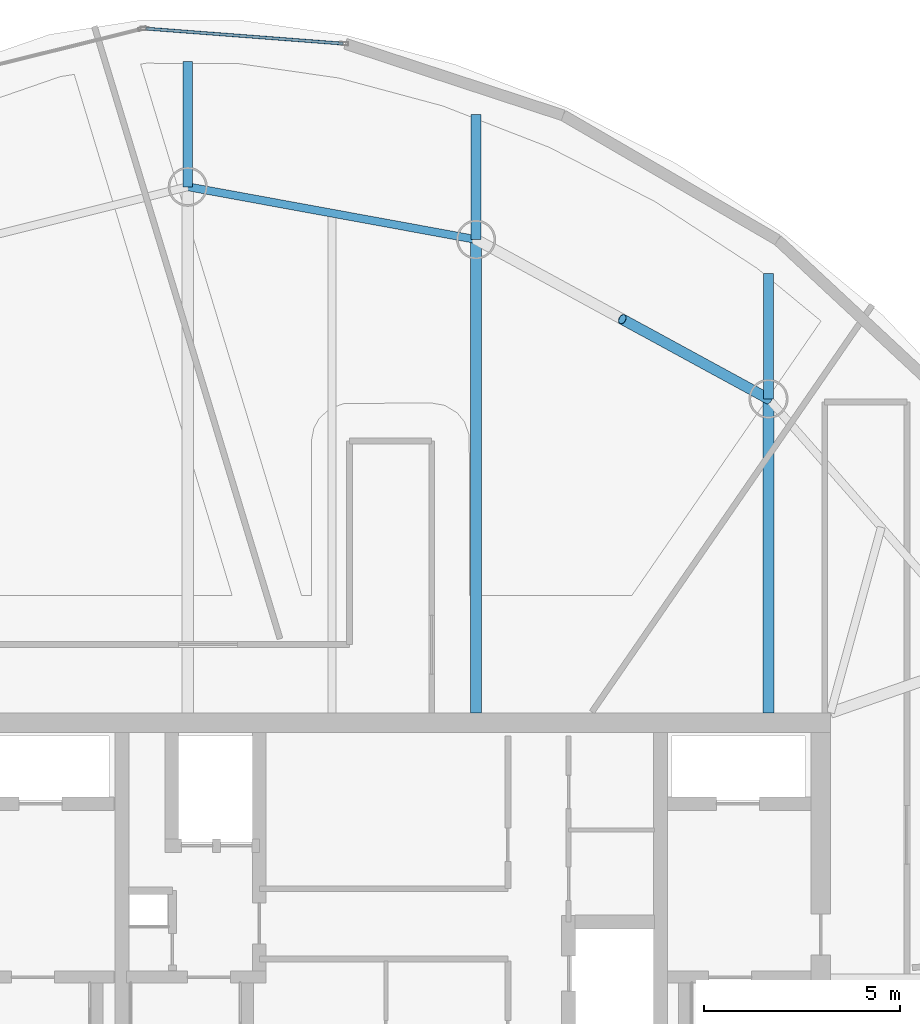
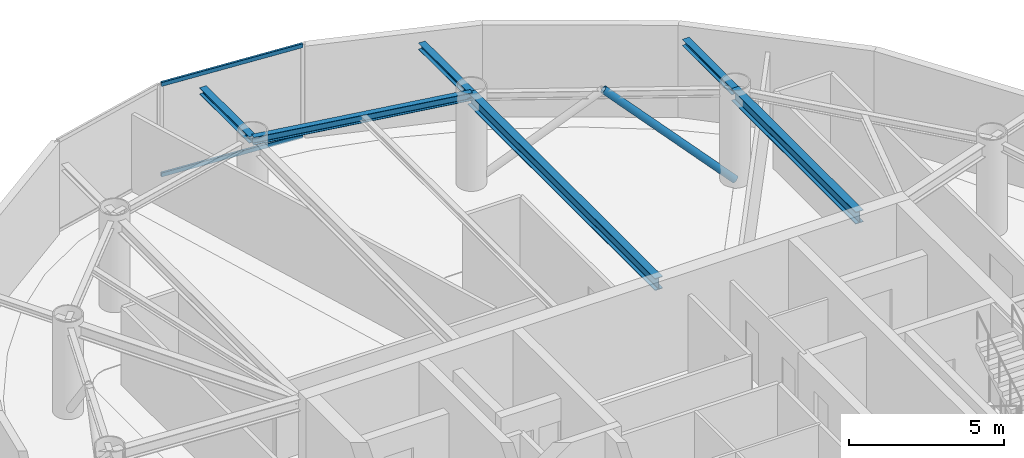
# One storey, part 13 of 23: 6 beams, 3 members, 1 element without a shape of its own.
"""IFC4 building model written with IfcOpenShell, lengths in metres."""

import ifcopenshell
import ifcopenshell.guid

model = None  # the IFC model being written
_history = None  # IfcOwnerHistory: only IFC2X3 demands one
_inside = {}  # id of a spatial element -> (the spatial element, [elements in it])
_under = {}  # id of a project, library or spatial element -> (it, [spatial elements below it])
_declared = {}  # id of a project -> (the project, [libraries it declares])
_typed = {}  # id of a type object -> (the type object, [elements of that type])
_made_of = {}  # id of a material, layer set ... -> (it, [elements and type objects made of it])


def new_model(schema):
    """Start an empty IFC model of exactly this schema.

    Asked for "IFC4X3", IfcOpenShell would pick the latest addendum, in which some entities
    have other attributes; the version numbers below select the first issue.
    IFC2X3 requires an IfcOwnerHistory on every rooted entity: one is made here for all.
    """
    global model, _history
    if schema == "IFC4X3":
        model = ifcopenshell.file(schema_version=(4, 3, 0, 0))
    else:
        model = ifcopenshell.file(schema=schema)
    _inside.clear()
    _under.clear()
    _declared.clear()
    _typed.clear()
    _made_of.clear()
    _history = None
    if model.schema == "IFC2X3":
        org = make("IfcOrganization", Name="unknown")
        user = make(
            "IfcPersonAndOrganization",
            ThePerson=make("IfcPerson", FamilyName="unknown"),
            TheOrganization=org,
        )
        app = make(
            "IfcApplication",
            ApplicationDeveloper=org,
            Version="unknown",
            ApplicationFullName="unknown",
            ApplicationIdentifier="unknown",
        )
        _history = make(
            "IfcOwnerHistory",
            OwningUser=user,
            OwningApplication=app,
            ChangeAction="ADDED",
            CreationDate=0,
        )
    return model


def make(cls, **values):
    """One entity of the class cls with the attributes given. An attribute that is None is left unset."""
    return model.create_entity(
        cls, **{name: value for name, value in values.items() if value is not None}
    )


def rooted(cls, **values):
    """An entity with a GlobalId (a new one), such as an element, a storey or a relation."""
    return make(cls, GlobalId=ifcopenshell.guid.new(), OwnerHistory=_history, **values)


def si_unit(unit_type, name, prefix=None):
    """IfcSIUnit, for example si_unit("LENGTHUNIT", "METRE", prefix="MILLI")."""
    return make("IfcSIUnit", UnitType=unit_type, Prefix=prefix, Name=name)


def assignment(units):
    """IfcUnitAssignment: the units of a project."""
    return None if units is None else make("IfcUnitAssignment", Units=units)


def point(xyz):
    """IfcCartesianPoint."""
    return None if xyz is None else make("IfcCartesianPoint", Coordinates=xyz)


def direction(xyz):
    """IfcDirection."""
    return None if xyz is None else make("IfcDirection", DirectionRatios=xyz)


def frame(location, z_axis=None, x_axis=None):
    """IfcAxis2Placement3D, a coordinate frame: its origin and axes. An axis left out is left unset."""
    return make(
        "IfcAxis2Placement3D",
        Location=point(location),
        Axis=direction(z_axis),
        RefDirection=direction(x_axis),
    )


def frame_2d(location, x_axis=None):
    """IfcAxis2Placement2D, a coordinate frame in the plane: its origin and x axis."""
    return make(
        "IfcAxis2Placement2D", Location=point(location), RefDirection=direction(x_axis)
    )


def origin():
    """The frame at (0, 0, 0) with its axes left unset."""
    return frame((0.0, 0.0, 0.0))


def origin_2d():
    """The frame at (0, 0) in the plane with its x axis left unset."""
    return frame_2d((0.0, 0.0))


def place(relative_to, where):
    """IfcLocalPlacement: puts the frame where relative to a parent placement (None: the world)."""
    return make(
        "IfcLocalPlacement", PlacementRelTo=relative_to, RelativePlacement=where
    )


def context(
    kind, dimensions, precision=None, world=None, true_north=None, identifier=None
):
    """IfcGeometricRepresentationContext, for example the 3D "Model" context."""
    return make(
        "IfcGeometricRepresentationContext",
        ContextIdentifier=identifier,
        ContextType=kind,
        CoordinateSpaceDimension=dimensions,
        Precision=precision,
        WorldCoordinateSystem=world,
        TrueNorth=true_north,
    )


def subcontext(parent, identifier, kind, view, scale=None):
    """IfcGeometricRepresentationSubContext, for example "Body" below "Model"."""
    return make(
        "IfcGeometricRepresentationSubContext",
        ContextIdentifier=identifier,
        ContextType=kind,
        ParentContext=parent,
        TargetScale=scale,
        TargetView=view,
    )


def project(units=None, contexts=None):
    """IfcProject with its units and contexts."""
    return rooted(
        "IfcProject",
        Name="project",
        RepresentationContexts=contexts,
        UnitsInContext=assignment(units),
    )


def spatial(cls, under=None, at=None, **own):
    """A site, building, storey or space (cls), placed at a placement, below another one or the project."""
    s = rooted(cls, ObjectPlacement=at, **own)
    if under is not None:
        _under.setdefault(under.id(), (under, []))[1].append(s)
    return s


def profile(cls, at=None, kind="AREA", **sizes):
    """A parametric profile (cls). Its sizes go by their IFC names, for example OverallWidth=200.0."""
    return make(cls, ProfileType=kind, Position=at, **sizes)


def hollow_rectangle(**sizes):
    """IfcRectangleHollowProfileDef."""
    return profile("IfcRectangleHollowProfileDef", **sizes)


def hollow_circle(**sizes):
    """IfcCircleHollowProfileDef."""
    return profile("IfcCircleHollowProfileDef", **sizes)


def i_section(**sizes):
    """IfcIShapeProfileDef."""
    return profile("IfcIShapeProfileDef", **sizes)


def extrude(swept, where, along, depth):
    """IfcExtrudedAreaSolid: the profile swept, set in the frame where, extruded along a direction by depth."""
    return make(
        "IfcExtrudedAreaSolid",
        SweptArea=swept,
        Position=where,
        ExtrudedDirection=direction(along),
        Depth=depth,
    )


def shape(context_of_items, identifier, shape_type, items):
    """IfcShapeRepresentation: the items that make up one representation, for example the "Body"."""
    return make(
        "IfcShapeRepresentation",
        ContextOfItems=context_of_items,
        RepresentationIdentifier=identifier,
        RepresentationType=shape_type,
        Items=items,
    )


def material(Name=None, Category=None):
    """IfcMaterial."""
    return make("IfcMaterial", Name=Name, Category=Category)


def layer(
    of_material, thickness, ventilated=None, Name=None, Category=None, Priority=None
):
    """IfcMaterialLayer: one layer of a wall or slab, of a material (None: an air gap)."""
    return make(
        "IfcMaterialLayer",
        Material=of_material,
        LayerThickness=thickness,
        IsVentilated=ventilated,
        Name=Name,
        Category=Category,
        Priority=Priority,
    )


def layer_set(layers, Name=None):
    """IfcMaterialLayerSet."""
    return make("IfcMaterialLayerSet", MaterialLayers=layers, LayerSetName=Name)


def material_profile(
    of_material, cross_section, Name=None, Category=None, Priority=None
):
    """IfcMaterialProfile: a cross section and its material."""
    return make(
        "IfcMaterialProfile",
        Name=Name,
        Material=of_material,
        Profile=cross_section,
        Priority=Priority,
        Category=Category,
    )


def profile_set(profiles, Name=None, composite=None):
    """IfcMaterialProfileSet."""
    return make(
        "IfcMaterialProfileSet",
        Name=Name,
        MaterialProfiles=profiles,
        CompositeProfile=composite,
    )


def made_of(thing, what):
    """Note that an element or type object is made of a material, layer set ...; save() writes the relation."""
    if what is not None:
        _made_of.setdefault(what.id(), (what, []))[1].append(thing)
    return thing


def type_object(cls, material=None, **own):
    """A type object (cls), such as IfcWallType, which elements share."""
    return made_of(rooted(cls, **own), material)


def element(
    cls,
    number,
    at=None,
    inside=None,
    cuts=None,
    type_object=None,
    material=None,
    context=None,
    identifier="Body",
    shape_type=None,
    held_by="IfcProductDefinitionShape",
    body=None,
    shapes=None,
    **own,
):
    """One element of the class cls, such as IfcWall. Its Tag is "e" and its number.

    at: its placement. inside: the storey or other place that contains it. cuts: it is an
    opening in that element (IfcRelVoidsElement). A single representation is given by context,
    identifier, shape_type and body (its items); several are given by shapes. held_by: the class
    of the entity that holds the representations. save() writes the other relations.
    """
    e = rooted(cls, Tag="e%d" % number, ObjectPlacement=at, **own)
    if body is not None:
        shapes = [shape(context, identifier, shape_type, body)]
    if shapes is not None:
        e.Representation = make(held_by, Representations=shapes)
    if inside is not None:
        _inside.setdefault(inside.id(), (inside, []))[1].append(e)
    if cuts is not None:
        rooted(
            "IfcRelVoidsElement", RelatingBuildingElement=cuts, RelatedOpeningElement=e
        )
    if type_object is not None:
        _typed.setdefault(type_object.id(), (type_object, []))[1].append(e)
    return made_of(e, material)


def aggregate(whole, parts):
    """IfcRelAggregates: a whole, such as a stair, and the parts it consists of."""
    return rooted("IfcRelAggregates", RelatingObject=whole, RelatedObjects=parts)


def save(model, path):
    """Write the relations noted so far, then the file.

    IfcRelAggregates (storeys below a building ...), IfcRelContainedInSpatialStructure (elements
    in a storey), IfcRelDefinesByType, IfcRelAssociatesMaterial and IfcRelDeclares: one each for
    every whole, place, type object, material and project.
    """
    for whole, parts in _under.values():
        aggregate(whole, parts)
    for where, things in _inside.values():
        rooted(
            "IfcRelContainedInSpatialStructure",
            RelatedElements=things,
            RelatingStructure=where,
        )
    for kind, things in _typed.values():
        rooted("IfcRelDefinesByType", RelatedObjects=things, RelatingType=kind)
    for what, things in _made_of.values():
        rooted("IfcRelAssociatesMaterial", RelatedObjects=things, RelatingMaterial=what)
    for by, libraries in _declared.values():
        rooted("IfcRelDeclares", RelatingContext=by, RelatedDefinitions=libraries)
    model.write(path)


model = new_model("IFC4")

# Units and contexts
model_context = context("Model", 3, precision=1e-05, world=origin(), true_north=direction((0.0, 1.0)))
body_context = subcontext(model_context, "Body", "Model", "MODEL_VIEW")
ifc_project = project(units=[si_unit("LENGTHUNIT", "METRE"), si_unit("AREAUNIT", "SQUARE_METRE"), si_unit("VOLUMEUNIT", "CUBIC_METRE"), si_unit("PLANEANGLEUNIT", "RADIAN"), si_unit("MASSUNIT", "GRAM", prefix="KILO")], contexts=[model_context])

# Site, building, storey
site_placement = place(None, origin())
site = spatial("IfcSite", under=ifc_project, at=site_placement, CompositionType="ELEMENT")
building_placement = place(site_placement, origin())
building = spatial("IfcBuilding", under=site, at=building_placement, Name="Bramvorn Convention Spire", CompositionType="ELEMENT")
storey_placement = place(building_placement, frame((0.0, 0.0, 295.949951171875)))
storey = spatial("IfcBuildingStorey", under=building, at=storey_placement, Name="L75", CompositionType="ELEMENT", Elevation=295.949951171875)

# Beams
ifc_material_1 = material(Name="Steel CSA G40.21 Grade 350 (350W)", Category="steel")
ifc_material_profile_1 = material_profile(ifc_material_1, i_section(OverallWidth=0.25390625, OverallDepth=0.2529296875, WebThickness=0.008544921875, FlangeThickness=0.01416015625, FilletRadius=0.011962890625, at=origin_2d()))
ifc_profile_set_1 = profile_set([ifc_material_profile_1], Name="Steel CSA G40.21 Grade 350 (350W) - W250X73")
beam_type_1 = type_object("IfcBeamType", Name="BM-W250X73", PredefinedType="BEAM", material=ifc_profile_set_1)
for number, where, z_axis, x_axis, name in (
    (1, (47.662353515625, 41.476806640625, 3.49853515625), (0.0, 1.0, 0.0), (-1.0, 0.0, 0.0), "L75 slab-edge cantilever tip beam MC06"),
    (2, (40.1845703125, 45.55078125, 3.49853515625), (0.0, 1.0, 0.0), (-1.0, 0.0, 0.0), "L75 slab-edge cantilever tip beam MC07"),
    (3, (32.8115234375, 46.90087890625, 3.49853515625), (0.0, 1.0, 0.0), (-1.0, 0.0, 0.0), "L75 slab-edge cantilever tip beam MC08"),
):
    element("IfcBeam", number, at=place(storey_placement, frame(where, z_axis=z_axis, x_axis=x_axis)), inside=storey, type_object=beam_type_1, Name=name, PredefinedType="BEAM", context=body_context, shape_type="SweptSolid", body=[
        extrude(i_section(OverallWidth=0.25390625, OverallDepth=0.2529296875, WebThickness=0.008544921875, FlangeThickness=0.01416015625, FilletRadius=0.011962890625, at=origin_2d()), origin(), (0.0, 0.0, 1.0), 3.199951171875),
    ])
ifc_material_profile_2 = material_profile(ifc_material_1, i_section(OverallWidth=0.202880859375, OverallDepth=0.302978515625, WebThickness=0.007568359375, FlangeThickness=0.01318359375, FilletRadius=0.013916015625, at=origin_2d()))
ifc_profile_set_2 = profile_set([ifc_material_profile_2], Name="Steel CSA G40.21 Grade 350 (350W) - W310X60")
beam_type_2 = type_object("IfcBeamType", Name="BM-W310X60", PredefinedType="JOIST", material=ifc_profile_set_2)
beam_1_placement = place(storey_placement, frame((40.1845703125, 45.55078125, 3.4736328125), z_axis=(-0.983645049461, 0.180117785547, 0.0), x_axis=(-0.180117785547, -0.983645049461, 0.0)))
element("IfcBeam", 4, at=beam_1_placement, inside=storey, type_object=beam_type_2, Name="L75 mega-column ring beam 07", PredefinedType="JOIST", context=body_context, shape_type="SweptSolid", body=[
    extrude(i_section(OverallWidth=0.202880859375, OverallDepth=0.302978515625, WebThickness=0.007568359375, FlangeThickness=0.01318359375, FilletRadius=0.013916015625, at=origin_2d()), origin(), (0.0, 0.0, 1.0), 7.49560546875),
])
ifc_material_profile_3 = material_profile(ifc_material_1, i_section(OverallWidth=0.283935546875, OverallDepth=0.47607421875, WebThickness=0.014892578125, FlangeThickness=0.02392578125, FilletRadius=0.01806640625, at=origin_2d()))
ifc_profile_set_3 = profile_set([ifc_material_profile_3], Name="Steel CSA G40.21 Grade 350 (350W) - W460X158")
beam_type_3 = type_object("IfcBeamType", Name="BM-W460X158", PredefinedType="SPANDREL", material=ifc_profile_set_3)
beam_2_placement = place(storey_placement, frame((47.662353515625, 33.449951171875, 3.386962890625), z_axis=(0.0, 1.0, 0.0), x_axis=(-1.0, 0.0, 0.0)))
element("IfcBeam", 5, at=beam_2_placement, inside=storey, type_object=beam_type_3, Name="L75 radial floor girder MC06", PredefinedType="SPANDREL", context=body_context, shape_type="SweptSolid", body=[
    extrude(i_section(OverallWidth=0.283935546875, OverallDepth=0.47607421875, WebThickness=0.014892578125, FlangeThickness=0.02392578125, FilletRadius=0.01806640625, at=origin_2d()), origin(), (0.0, 0.0, 1.0), 8.02685546875),
])
beam_3_placement = place(storey_placement, frame((40.1845703125, 33.449951171875, 3.386962890625), z_axis=(0.0, 1.0, 0.0), x_axis=(-1.0, 0.0, 0.0)))
element("IfcBeam", 6, at=beam_3_placement, inside=storey, type_object=beam_type_3, Name="L75 radial floor girder MC07", PredefinedType="SPANDREL", context=body_context, shape_type="SweptSolid", body=[
    extrude(i_section(OverallWidth=0.283935546875, OverallDepth=0.47607421875, WebThickness=0.014892578125, FlangeThickness=0.02392578125, FilletRadius=0.01806640625, at=origin_2d()), origin(), (0.0, 0.0, 1.0), 12.100830078125),
])

# Curtain wall, members
ifc_material_2 = material(Name="Anodised Bronze Unitised Curtain Wall", Category="aluminium")
ifc_layer = layer(ifc_material_2, 0.179931640625)
ifc_layer_set = layer_set([ifc_layer], Name="Anodised Bronze Unitised Curtain Wall - CW-OFF-FRIT")
curtain_wall_type = type_object("IfcCurtainWallType", Name="CW-OFF-FRIT", PredefinedType="USERDEFINED", material=ifc_layer_set)
curtain_wall_placement = place(storey_placement, origin())
curtain_wall = element("IfcCurtainWall", 7, at=curtain_wall_placement, inside=storey, type_object=curtain_wall_type, Name="L75 fritted glass curtain wall 11", ObjectType="UNITISED CURTAIN WALL", PredefinedType="USERDEFINED")
ifc_material_3 = material(Name="Anodised Bronze Aluminium 6063-T6", Category="aluminium")
ifc_material_profile_4 = material_profile(ifc_material_3, hollow_rectangle(XDim=0.080078125, YDim=0.159912109375, WallThickness=0.00390625, InnerFilletRadius=0.0009765625, OuterFilletRadius=0.00390625, at=origin_2d()))
ifc_profile_set_4 = profile_set([ifc_material_profile_4], Name="Anodised Bronze Aluminium 6063-T6 - CWT80X160")
member_type_1 = type_object("IfcMemberType", Name="CW-TRN-150", PredefinedType="USERDEFINED", material=ifc_profile_set_4)
member_1_placement = place(storey_placement, frame((31.73828125, 50.9453125, 0.030029296875), z_axis=(0.997111265096, -0.075954756389, 0.0), x_axis=(0.075954756389, 0.997111265096, 0.0)))
member_1 = element("IfcMember", 8, at=member_1_placement, type_object=member_type_1, Name="CW3 transom 1.1", ObjectType="TRANSOM", PredefinedType="USERDEFINED", context=body_context, shape_type="SweptSolid", body=[
    extrude(hollow_rectangle(XDim=0.080078125, YDim=0.159912109375, WallThickness=0.00390625, InnerFilletRadius=0.0009765625, OuterFilletRadius=0.00390625, at=origin_2d()), origin(), (0.0, 0.0, 1.0), 5.059326171875),
])
member_2_placement = place(storey_placement, frame((31.73828125, 50.9453125, 3.594970703125), z_axis=(0.997111265096, -0.075954756389, 0.0), x_axis=(0.075954756389, 0.997111265096, 0.0)))
member_2 = element("IfcMember", 9, at=member_2_placement, type_object=member_type_1, Name="CW3 transom 1.2", ObjectType="TRANSOM", PredefinedType="USERDEFINED", context=body_context, shape_type="SweptSolid", body=[
    extrude(hollow_rectangle(XDim=0.080078125, YDim=0.159912109375, WallThickness=0.00390625, InnerFilletRadius=0.0009765625, OuterFilletRadius=0.00390625, at=origin_2d()), origin(), (0.0, 0.0, 1.0), 5.059326171875),
])
aggregate(curtain_wall, [member_1, member_2])

# Member
ifc_material_profile_5 = material_profile(ifc_material_1, hollow_circle(Radius=0.136474609375, WallThickness=0.0126953125, at=origin_2d()))
ifc_profile_set_5 = profile_set([ifc_material_profile_5], Name="Steel CSA G40.21 Grade 350 (350W) - CHS273X13")
member_type_2 = type_object("IfcMemberType", Name="MBR-CHS273X13", PredefinedType="BRACE", material=ifc_profile_set_5)
member_3_placement = place(storey_placement, frame((47.662353515625, 41.476806640625, 0.0), z_axis=(-0.668634081548, 0.364288787231, 0.648245435379), x_axis=(-0.478426241072, -0.878127742332, 0.0)))
element("IfcMember", 10, at=member_3_placement, inside=storey, type_object=member_type_2, Name="L75 perimeter Gothic lancet brace 6A", PredefinedType="BRACE", context=body_context, shape_type="SweptSolid", body=[
    extrude(hollow_circle(Radius=0.136474609375, WallThickness=0.0126953125, at=origin_2d()), origin(), (0.0, 0.0, 1.0), 5.592041015625),
])

save(model, "model.ifc")
